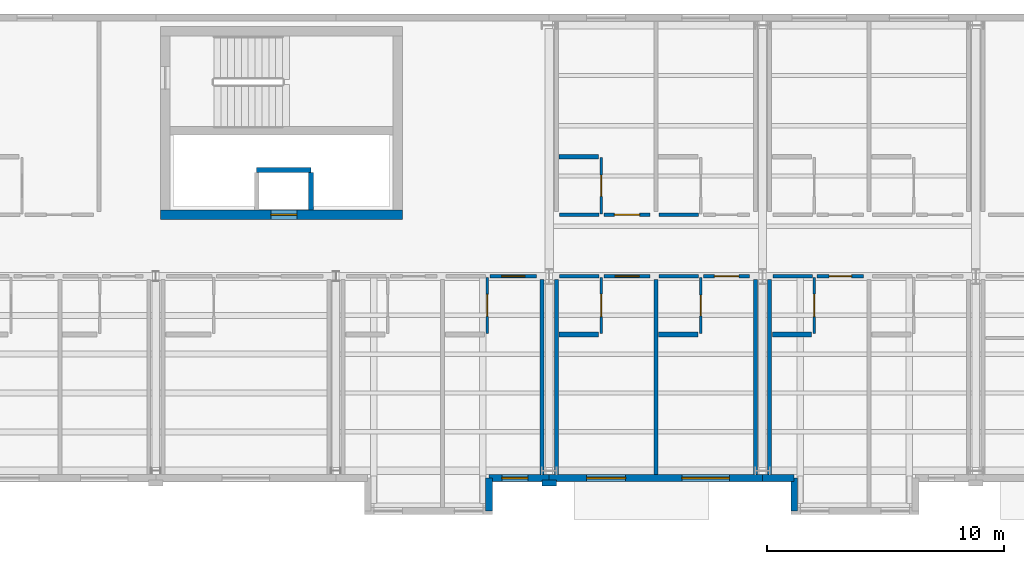
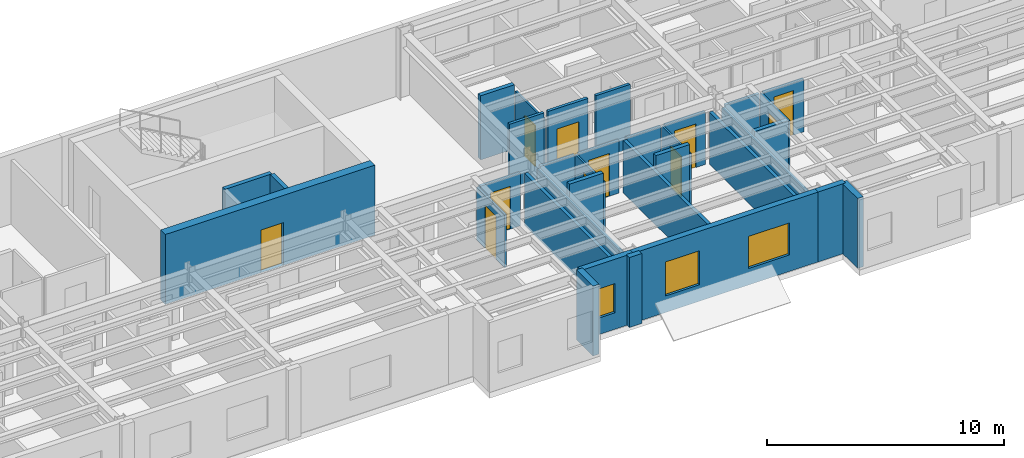
# One storey, part 16 of 34: 33 walls, 11 doors, 3 windows, 14 openings.
"""IFC4 building model written with IfcOpenShell, lengths in metres."""

from ifc_helpers import new_model, si_unit, direction, frame, frame_2d, origin, place, context, subcontext, project, spatial, rectangle, extrude, material, layer, layer_set, type_object, element, fill, save


model = new_model("IFC4")

# Units and contexts
model_context = context("Model", 3, precision=1e-05, world=origin(), true_north=direction((0.0, 1.0)))
body_context = subcontext(model_context, "Body", "Model", "MODEL_VIEW")
ifc_project = project(units=[si_unit("LENGTHUNIT", "METRE"), si_unit("AREAUNIT", "SQUARE_METRE"), si_unit("VOLUMEUNIT", "CUBIC_METRE"), si_unit("PLANEANGLEUNIT", "RADIAN"), si_unit("MASSUNIT", "GRAM", prefix="KILO")], contexts=[model_context])

# Site, building, storey
site_placement = place(None, origin())
site = spatial("IfcSite", under=ifc_project, at=site_placement, CompositionType="ELEMENT")
building_placement = place(site_placement, origin())
building = spatial("IfcBuilding", under=site, at=building_placement, Name="Sollismere Congress Hotel", CompositionType="ELEMENT")
storey_placement = place(building_placement, frame((0.0, 0.0, 23.39990234375)))
storey = spatial("IfcBuildingStorey", under=building, at=storey_placement, Name="L05", CompositionType="ELEMENT", Elevation=23.39990234375)

# Wall, opening, window
ifc_material_1 = material(Name="Colorado Buff Sandstone Rainscreen on Insulated Backup", Category="masonry")
ifc_layer_1 = layer(ifc_material_1, 0.284912109375, Name="Colorado Buff Sandstone Rainscreen on Insulated Backup")
ifc_layer_set_1 = layer_set([ifc_layer_1], Name="Colorado Buff Sandstone Rainscreen on Insulated Backup")
wall_type_1 = type_object("IfcWallType", Name="WL-EXT285", PredefinedType="STANDARD", material=ifc_layer_set_1)
wall_1_placement = place(storey_placement, frame((64.4599609375, -0.31005859375, 0.0), z_axis=(0.0, 0.0, 1.0), x_axis=(1.0, 0.0, 0.0)))
wall_1 = element("IfcWall", 1, at=wall_1_placement, inside=storey, type_object=wall_type_1, Name="Exterior wall EW-L05-572", PredefinedType="STANDARD", context=body_context, shape_type="SweptSolid", body=[
    extrude(rectangle(XDim=2.5400390625, YDim=0.284912109375, at=frame_2d((1.27001953125, 0.0))), origin(), (0.0, 0.0, 1.0), 3.60009765625),
])
opening_1_placement = place(wall_1_placement, frame((0.544921875, 0.0, 0.85009765625)))
opening_1 = element("IfcOpeningElement", 2, at=opening_1_placement, cuts=wall_1, Name="Opening W-L05-430", PredefinedType="OPENING", context=body_context, shape_type="SweptSolid", body=[
    extrude(rectangle(XDim=1.10009765625, YDim=1.5, at=frame_2d((0.550048828125, 0.75))), frame((0.0, 0.15234375, 0.0), z_axis=(0.0, -1.0, 0.0), x_axis=(1.0, 0.0, 0.0)), (0.0, 0.0, 1.0), 0.304931640625),
])
ifc_material_2 = material(Name="Thermally Broken Bronze Aluminum & Low-E Glass", Category="aluminium")
window_type_1 = type_object("IfcWindowType", Name="WN-P110x150", PartitioningType="SINGLE_PANEL", PredefinedType="WINDOW", material=ifc_material_2)
window_1_placement = place(opening_1_placement, origin())
window_1 = element("IfcWindow", 3, at=window_1_placement, inside=storey, type_object=window_type_1, Name="WIN-W-L05-430", OverallHeight=1.5, OverallWidth=1.10009765625, PartitioningType="SINGLE_PANEL", PredefinedType="WINDOW", context=body_context, shape_type="SweptSolid", body=[
    extrude(rectangle(XDim=1.10009765625, YDim=1.5, at=frame_2d((0.550048828125, 0.75))), frame((0.0, 0.030029296875, 0.0), z_axis=(0.0, -1.0, 0.0), x_axis=(1.0, 0.0, 0.0)), (0.0, 0.0, 1.0), 0.06005859375),
])
fill(opening_1, window_1)

# Wall
wall_2_placement = place(storey_placement, frame((64.4599609375, -1.699951171875, 0.0), z_axis=(0.0, 0.0, 1.0), x_axis=(0.0, 1.0, 0.0)))
element("IfcWall", 4, at=wall_2_placement, inside=storey, type_object=wall_type_1, Name="Exterior wall EW-L05-575", PredefinedType="STANDARD", context=body_context, shape_type="SweptSolid", body=[
    extrude(rectangle(XDim=1.389892578125, YDim=0.284912109375, at=frame_2d((0.69482421875, 0.0))), origin(), (0.0, 0.0, 1.0), 3.60009765625),
])

# Wall, openings, windows
wall_3_placement = place(storey_placement, frame((67.0, -0.31005859375, 0.0), z_axis=(0.0, 0.0, 1.0), x_axis=(1.0, 0.0, 0.0)))
wall_3 = element("IfcWall", 5, at=wall_3_placement, inside=storey, type_object=wall_type_1, Name="Exterior wall EW-L05-576", PredefinedType="STANDARD", context=body_context, shape_type="SweptSolid", body=[
    extrude(rectangle(XDim=9.0, YDim=0.284912109375, at=frame_2d((4.5, 0.0))), origin(), (0.0, 0.0, 1.0), 3.60009765625),
])
opening_2_placement = place(wall_3_placement, frame((1.574951171875, 0.0, 0.85009765625)))
opening_2 = element("IfcOpeningElement", 6, at=opening_2_placement, cuts=wall_3, Name="Opening W-L05-433", PredefinedType="OPENING", context=body_context, shape_type="SweptSolid", body=[
    extrude(rectangle(XDim=1.64990234375, YDim=1.75, at=frame_2d((0.824951171875, 0.875))), frame((0.0, 0.15234375, 0.0), z_axis=(0.0, -1.0, 0.0), x_axis=(1.0, 0.0, 0.0)), (0.0, 0.0, 1.0), 0.304931640625),
])
opening_3_placement = place(wall_3_placement, frame((5.60009765625, 0.0, 0.85009765625)))
opening_3 = element("IfcOpeningElement", 7, at=opening_3_placement, cuts=wall_3, Name="Opening W-L05-434", PredefinedType="OPENING", context=body_context, shape_type="SweptSolid", body=[
    extrude(rectangle(XDim=2.0, YDim=1.64990234375, at=frame_2d((1.0, 0.824951171875))), frame((0.0, 0.15234375, 0.0), z_axis=(0.0, -1.0, 0.0), x_axis=(1.0, 0.0, 0.0)), (0.0, 0.0, 1.0), 0.304931640625),
])
window_type_2 = type_object("IfcWindowType", Name="WN-P165x175", PartitioningType="SINGLE_PANEL", PredefinedType="WINDOW", material=ifc_material_2)
window_2_placement = place(opening_2_placement, origin())
window_2 = element("IfcWindow", 8, at=window_2_placement, inside=storey, type_object=window_type_2, Name="WIN-W-L05-433", OverallHeight=1.75, OverallWidth=1.64990234375, PartitioningType="SINGLE_PANEL", PredefinedType="WINDOW", context=body_context, shape_type="SweptSolid", body=[
    extrude(rectangle(XDim=1.64990234375, YDim=1.75, at=frame_2d((0.824951171875, 0.875))), frame((0.0, 0.030029296875, 0.0), z_axis=(0.0, -1.0, 0.0), x_axis=(1.0, 0.0, 0.0)), (0.0, 0.0, 1.0), 0.06005859375),
])
fill(opening_2, window_2)
window_type_3 = type_object("IfcWindowType", Name="WN-P200x165", PartitioningType="SINGLE_PANEL", PredefinedType="WINDOW", material=ifc_material_2)
window_3_placement = place(opening_3_placement, origin())
window_3 = element("IfcWindow", 9, at=window_3_placement, inside=storey, type_object=window_type_3, Name="WIN-W-L05-434", OverallHeight=1.64990234375, OverallWidth=2.0, PartitioningType="SINGLE_PANEL", PredefinedType="WINDOW", context=body_context, shape_type="SweptSolid", body=[
    extrude(rectangle(XDim=2.0, YDim=1.64990234375, at=frame_2d((1.0, 0.824951171875))), frame((0.0, 0.030029296875, 0.0), z_axis=(0.0, -1.0, 0.0), x_axis=(1.0, 0.0, 0.0)), (0.0, 0.0, 1.0), 0.06005859375),
])
fill(opening_3, window_3)

# Walls
wall_4_placement = place(storey_placement, frame((76.0, -0.31005859375, 0.0), z_axis=(0.0, 0.0, 1.0), x_axis=(1.0, 0.0, 0.0)))
element("IfcWall", 10, at=wall_4_placement, inside=storey, type_object=wall_type_1, Name="Exterior wall EW-L05-578", PredefinedType="STANDARD", context=body_context, shape_type="SweptSolid", body=[
    extrude(rectangle(XDim=1.340087890625, YDim=0.284912109375, at=frame_2d((0.669921875, 0.0))), origin(), (0.0, 0.0, 1.0), 3.60009765625),
])
wall_5_placement = place(storey_placement, frame((77.340087890625, -0.31005859375, 0.0), z_axis=(0.0, 0.0, 1.0), x_axis=(0.0, -1.0, 0.0)))
element("IfcWall", 11, at=wall_5_placement, inside=storey, type_object=wall_type_1, Name="Exterior wall EW-L05-581", PredefinedType="STANDARD", context=body_context, shape_type="SweptSolid", body=[
    extrude(rectangle(XDim=1.389892578125, YDim=0.284912109375, at=frame_2d((0.69482421875, 0.0))), origin(), (0.0, 0.0, 1.0), 3.60009765625),
])
ifc_material_3 = material(Name="Carved Travertine Pilaster & Frieze Assembly", Category="masonry")
ifc_layer_2 = layer(ifc_material_3, 0.260009765625, Name="Carved Travertine Pilaster & Frieze Assembly")
ifc_layer_set_2 = layer_set([ifc_layer_2], Name="Carved Travertine Pilaster & Frieze Assembly")
wall_type_2 = type_object("IfcWallType", Name="WL-PIL280", PredefinedType="ELEMENTEDWALL", material=ifc_layer_set_2)
wall_6_placement = place(storey_placement, frame((66.699951171875, -0.52001953125, 0.0), z_axis=(0.0, 0.0, 1.0), x_axis=(1.0, 0.0, 0.0)))
element("IfcWall", 12, at=wall_6_placement, inside=storey, type_object=wall_type_2, Name="Exterior wall EW-L05-577", PredefinedType="ELEMENTEDWALL", context=body_context, shape_type="SweptSolid", body=[
    extrude(rectangle(XDim=0.60009765625, YDim=0.260009765625, at=frame_2d((0.300048828125, 0.0))), origin(), (0.0, 0.0, 1.0), 3.60009765625),
])
ifc_material_4 = material(Name="Moisture-Resistant Shaft Gypsum Assembly")
ifc_layer_3 = layer(ifc_material_4, 0.199951171875, Name="Moisture-Resistant Shaft Gypsum Assembly")
ifc_layer_set_3 = layer_set([ifc_layer_3], Name="Moisture-Resistant Shaft Gypsum Assembly")
wall_type_3 = type_object("IfcWallType", Name="WL-PLM200", PredefinedType="PLUMBINGWALL", material=ifc_layer_set_3)
wall_7_placement = place(storey_placement, frame((54.655029296875, 12.68994140625, 0.0), z_axis=(0.0, 0.0, 1.0), x_axis=(1.0, 0.0, 0.0)))
element("IfcWall", 13, at=wall_7_placement, inside=storey, type_object=wall_type_3, Name="Interior wall IW-L05-0724", PredefinedType="PLUMBINGWALL", context=body_context, shape_type="SweptSolid", body=[
    extrude(rectangle(XDim=2.2900390625, YDim=0.199951171875, at=frame_2d((1.14501953125, 0.0))), origin(), (0.0, 0.0, 1.0), 3.300048828125),
])
wall_8_placement = place(storey_placement, frame((56.945068359375, 11.011962890625, 0.0), z_axis=(0.0, 0.0, 1.0), x_axis=(0.0, 1.0, 0.0)))
element("IfcWall", 14, at=wall_8_placement, inside=storey, type_object=wall_type_3, Name="Interior wall IW-L05-0726", PredefinedType="PLUMBINGWALL", context=body_context, shape_type="SweptSolid", body=[
    extrude(rectangle(XDim=1.56591796875, YDim=0.199951171875, at=frame_2d((0.782958984375, 0.0))), origin(), (0.0, 0.0, 1.0), 3.300048828125),
])
wall_9_placement = place(storey_placement, frame((67.419921875, 5.75, 0.0), z_axis=(0.0, 0.0, 1.0), x_axis=(1.0, 0.0, 0.0)))
element("IfcWall", 15, at=wall_9_placement, inside=storey, type_object=wall_type_3, Name="Interior wall IW-L05-1782", PredefinedType="PLUMBINGWALL", context=body_context, shape_type="SweptSolid", body=[
    extrude(rectangle(XDim=1.650146484375, YDim=0.199951171875, at=frame_2d((0.8251953125, 0.0))), origin(), (0.0, 0.0, 1.0), 3.300048828125),
])
wall_10_placement = place(storey_placement, frame((71.6201171875, 5.75, 0.0), z_axis=(0.0, 0.0, 1.0), x_axis=(1.0, 0.0, 0.0)))
element("IfcWall", 16, at=wall_10_placement, inside=storey, type_object=wall_type_3, Name="Interior wall IW-L05-1787", PredefinedType="PLUMBINGWALL", context=body_context, shape_type="SweptSolid", body=[
    extrude(rectangle(XDim=1.64990234375, YDim=0.199951171875, at=frame_2d((0.824951171875, 0.0))), origin(), (0.0, 0.0, 1.0), 3.300048828125),
])
wall_11_placement = place(storey_placement, frame((67.419921875, 13.25, 0.0), z_axis=(0.0, 0.0, 1.0), x_axis=(1.0, 0.0, 0.0)))
element("IfcWall", 17, at=wall_11_placement, inside=storey, type_object=wall_type_3, Name="Interior wall IW-L05-1793", PredefinedType="PLUMBINGWALL", context=body_context, shape_type="SweptSolid", body=[
    extrude(rectangle(XDim=1.650146484375, YDim=0.199951171875, at=frame_2d((0.8251953125, 0.0))), origin(), (0.0, 0.0, 1.0), 3.300048828125),
])
wall_12_placement = place(storey_placement, frame((76.419921875, 5.75, 0.0), z_axis=(0.0, 0.0, 1.0), x_axis=(1.0, 0.0, 0.0)))
element("IfcWall", 18, at=wall_12_placement, inside=storey, type_object=wall_type_3, Name="Interior wall IW-L05-1804", PredefinedType="PLUMBINGWALL", context=body_context, shape_type="SweptSolid", body=[
    extrude(rectangle(XDim=1.650146484375, YDim=0.199951171875, at=frame_2d((0.8251953125, 0.0))), origin(), (0.0, 0.0, 1.0), 2.85302734375),
])

# Wall, opening, door
ifc_material_5 = material(Name="Moisture-Resistant Gypsum Partition")
ifc_layer_4 = layer(ifc_material_5, 0.10009765625, Name="Moisture-Resistant Gypsum Partition")
ifc_layer_set_4 = layer_set([ifc_layer_4], Name="Moisture-Resistant Gypsum Partition")
wall_type_4 = type_object("IfcWallType", Name="WL-PRT100", PredefinedType="PARTITIONING", material=ifc_layer_set_4)
wall_13_placement = place(storey_placement, frame((64.389892578125, 5.7900390625, 0.0), z_axis=(0.0, 0.0, 1.0), x_axis=(0.0, 1.0, 0.0)))
wall_13 = element("IfcWall", 19, at=wall_13_placement, inside=storey, type_object=wall_type_4, Name="Interior wall IW-L05-1775", PredefinedType="PARTITIONING", context=body_context, shape_type="SweptSolid", body=[
    extrude(rectangle(XDim=2.369873046875, YDim=0.10009765625, at=frame_2d((1.18505859375, 0.0))), origin(), (0.0, 0.0, 1.0), 2.713134765625),
])
opening_4_placement = place(wall_13_placement, frame((0.719970703125, 0.0, 0.0)))
opening_4 = element("IfcOpeningElement", 20, at=opening_4_placement, cuts=wall_13, Name="Opening D-L05-0626", PredefinedType="OPENING", context=body_context, shape_type="SweptSolid", body=[
    extrude(rectangle(XDim=0.929931640625, YDim=2.219970703125, at=frame_2d((0.46484375, 1.10986328125))), frame((0.0, 0.06005859375, 0.0), z_axis=(0.0, -1.0, 0.0), x_axis=(1.0, 0.0, 0.0)), (0.0, 0.0, 1.0), 0.1201171875),
])
ifc_material_6 = material(Name="Moisture-Sealed Timber Bathroom Door", Category="wood")
door_type_1 = type_object("IfcDoorType", Name="DR-BT07", OperationType="NOTDEFINED", PredefinedType="DOOR", material=ifc_material_6)
door_1_placement = place(opening_4_placement, origin())
door_1 = element("IfcDoor", 21, at=door_1_placement, inside=storey, type_object=door_type_1, Name="En-suite bathroom door D-L05-0626", OperationType="SINGLE_SWING_LEFT", OverallHeight=2.219970703125, OverallWidth=0.929931640625, PredefinedType="DOOR", context=body_context, shape_type="SweptSolid", body=[
    extrude(rectangle(XDim=0.929931640625, YDim=2.219970703125, at=frame_2d((0.46484375, 1.10986328125))), frame((0.0, 0.02490234375, 0.0), z_axis=(0.0, -1.0, 0.0), x_axis=(1.0, 0.0, 0.0)), (0.0, 0.0, 1.0), 0.050048828125),
])
fill(opening_4, door_1)

wall_14_placement = place(storey_placement, frame((69.18994140625, 5.7900390625, 0.0), z_axis=(0.0, 0.0, 1.0), x_axis=(0.0, 1.0, 0.0)))
wall_14 = element("IfcWall", 22, at=wall_14_placement, inside=storey, type_object=wall_type_4, Name="Interior wall IW-L05-1781", PredefinedType="PARTITIONING", context=body_context, shape_type="SweptSolid", body=[
    extrude(rectangle(XDim=2.369873046875, YDim=0.10009765625, at=frame_2d((1.18505859375, 0.0))), origin(), (0.0, 0.0, 1.0), 2.713134765625),
])
opening_5_placement = place(wall_14_placement, frame((0.7080078125, 0.0, 0.0)))
opening_5 = element("IfcOpeningElement", 23, at=opening_5_placement, cuts=wall_14, Name="Opening D-L05-0628", PredefinedType="OPENING", context=body_context, shape_type="SweptSolid", body=[
    extrude(rectangle(XDim=0.955078125, YDim=2.219970703125, at=frame_2d((0.4775390625, 1.10986328125))), frame((0.0, 0.06005859375, 0.0), z_axis=(0.0, -1.0, 0.0), x_axis=(1.0, 0.0, 0.0)), (0.0, 0.0, 1.0), 0.1201171875),
])
door_type_2 = type_object("IfcDoorType", Name="DR-BT08", OperationType="NOTDEFINED", PredefinedType="DOOR", material=ifc_material_6)
door_2_placement = place(opening_5_placement, origin())
door_2 = element("IfcDoor", 24, at=door_2_placement, inside=storey, type_object=door_type_2, Name="En-suite bathroom door D-L05-0628", OperationType="SINGLE_SWING_LEFT", OverallHeight=2.219970703125, OverallWidth=0.955078125, PredefinedType="DOOR", context=body_context, shape_type="SweptSolid", body=[
    extrude(rectangle(XDim=0.955078125, YDim=2.219970703125, at=frame_2d((0.4775390625, 1.10986328125))), frame((0.0, 0.02490234375, 0.0), z_axis=(0.0, -1.0, 0.0), x_axis=(1.0, 0.0, 0.0)), (0.0, 0.0, 1.0), 0.050048828125),
])
fill(opening_5, door_2)

wall_15_placement = place(storey_placement, frame((73.389892578125, 5.7900390625, 0.0), z_axis=(0.0, 0.0, 1.0), x_axis=(0.0, 1.0, 0.0)))
wall_15 = element("IfcWall", 25, at=wall_15_placement, inside=storey, type_object=wall_type_4, Name="Interior wall IW-L05-1786", PredefinedType="PARTITIONING", context=body_context, shape_type="SweptSolid", body=[
    extrude(rectangle(XDim=2.369873046875, YDim=0.10009765625, at=frame_2d((1.18505859375, 0.0))), origin(), (0.0, 0.0, 1.0), 2.713134765625),
])
opening_6_placement = place(wall_15_placement, frame((0.7451171875, 0.0, 0.0)))
opening_6 = element("IfcOpeningElement", 26, at=opening_6_placement, cuts=wall_15, Name="Opening D-L05-0630", PredefinedType="OPENING", context=body_context, shape_type="SweptSolid", body=[
    extrude(rectangle(XDim=0.8798828125, YDim=2.10009765625, at=frame_2d((0.43994140625, 1.050048828125))), frame((0.0, 0.06005859375, 0.0), z_axis=(0.0, -1.0, 0.0), x_axis=(1.0, 0.0, 0.0)), (0.0, 0.0, 1.0), 0.1201171875),
])
door_type_3 = type_object("IfcDoorType", Name="DR-BT01", OperationType="NOTDEFINED", PredefinedType="DOOR", material=ifc_material_6)
door_3_placement = place(opening_6_placement, origin())
door_3 = element("IfcDoor", 27, at=door_3_placement, inside=storey, type_object=door_type_3, Name="En-suite bathroom door D-L05-0630", OperationType="SINGLE_SWING_LEFT", OverallHeight=2.10009765625, OverallWidth=0.8798828125, PredefinedType="DOOR", context=body_context, shape_type="SweptSolid", body=[
    extrude(rectangle(XDim=0.8798828125, YDim=2.10009765625, at=frame_2d((0.43994140625, 1.050048828125))), frame((0.0, 0.02490234375, 0.0), z_axis=(0.0, -1.0, 0.0), x_axis=(1.0, 0.0, 0.0)), (0.0, 0.0, 1.0), 0.050048828125),
])
fill(opening_6, door_3)

wall_16_placement = place(storey_placement, frame((69.18994140625, 10.840087890625, 0.0), z_axis=(0.0, 0.0, 1.0), x_axis=(0.0, 1.0, 0.0)))
wall_16 = element("IfcWall", 28, at=wall_16_placement, inside=storey, type_object=wall_type_4, Name="Interior wall IW-L05-1792", PredefinedType="PARTITIONING", context=body_context, shape_type="SweptSolid", body=[
    extrude(rectangle(XDim=2.369873046875, YDim=0.10009765625, at=frame_2d((1.18505859375, 0.0))), origin(), (0.0, 0.0, 1.0), 2.908203125),
])
opening_7_placement = place(wall_16_placement, frame((0.73291015625, 0.0, 0.0)))
opening_7 = element("IfcOpeningElement", 29, at=opening_7_placement, cuts=wall_16, Name="Opening D-L05-0632", PredefinedType="OPENING", context=body_context, shape_type="SweptSolid", body=[
    extrude(rectangle(XDim=0.905029296875, YDim=2.10009765625, at=frame_2d((0.45263671875, 1.050048828125))), frame((0.0, 0.06005859375, 0.0), z_axis=(0.0, -1.0, 0.0), x_axis=(1.0, 0.0, 0.0)), (0.0, 0.0, 1.0), 0.1201171875),
])
door_type_4 = type_object("IfcDoorType", Name="DR-BT02", OperationType="NOTDEFINED", PredefinedType="DOOR", material=ifc_material_6)
door_4_placement = place(opening_7_placement, origin())
door_4 = element("IfcDoor", 30, at=door_4_placement, inside=storey, type_object=door_type_4, Name="En-suite bathroom door D-L05-0632", OperationType="SINGLE_SWING_LEFT", OverallHeight=2.10009765625, OverallWidth=0.905029296875, PredefinedType="DOOR", context=body_context, shape_type="SweptSolid", body=[
    extrude(rectangle(XDim=0.905029296875, YDim=2.10009765625, at=frame_2d((0.45263671875, 1.050048828125))), frame((0.0, 0.02490234375, 0.0), z_axis=(0.0, -1.0, 0.0), x_axis=(1.0, 0.0, 0.0)), (0.0, 0.0, 1.0), 0.050048828125),
])
fill(opening_7, door_4)

wall_17_placement = place(storey_placement, frame((78.18994140625, 5.7900390625, 0.0), z_axis=(0.0, 0.0, 1.0), x_axis=(0.0, 1.0, 0.0)))
wall_17 = element("IfcWall", 31, at=wall_17_placement, inside=storey, type_object=wall_type_4, Name="Interior wall IW-L05-1803", PredefinedType="PARTITIONING", context=body_context, shape_type="SweptSolid", body=[
    extrude(rectangle(XDim=2.369873046875, YDim=0.10009765625, at=frame_2d((1.18505859375, 0.0))), origin(), (0.0, 0.0, 1.0), 2.713134765625),
])
opening_8_placement = place(wall_17_placement, frame((0.7080078125, 0.0, 0.0)))
opening_8 = element("IfcOpeningElement", 32, at=opening_8_placement, cuts=wall_17, Name="Opening D-L05-0636", PredefinedType="OPENING", context=body_context, shape_type="SweptSolid", body=[
    extrude(rectangle(XDim=0.955078125, YDim=2.139892578125, at=frame_2d((0.4775390625, 1.06982421875))), frame((0.0, 0.06005859375, 0.0), z_axis=(0.0, -1.0, 0.0), x_axis=(1.0, 0.0, 0.0)), (0.0, 0.0, 1.0), 0.1201171875),
])
door_type_5 = type_object("IfcDoorType", Name="DR-BT04", OperationType="NOTDEFINED", PredefinedType="DOOR", material=ifc_material_6)
door_5_placement = place(opening_8_placement, origin())
door_5 = element("IfcDoor", 33, at=door_5_placement, inside=storey, type_object=door_type_5, Name="En-suite bathroom door D-L05-0636", OperationType="SINGLE_SWING_LEFT", OverallHeight=2.139892578125, OverallWidth=0.955078125, PredefinedType="DOOR", context=body_context, shape_type="SweptSolid", body=[
    extrude(rectangle(XDim=0.955078125, YDim=2.139892578125, at=frame_2d((0.4775390625, 1.06982421875))), frame((0.0, 0.02490234375, 0.0), z_axis=(0.0, -1.0, 0.0), x_axis=(1.0, 0.0, 0.0)), (0.0, 0.0, 1.0), 0.050048828125),
])
fill(opening_8, door_5)

ifc_material_7 = material(Name="Fire-Rated Gypsum Partition")
ifc_layer_5 = layer(ifc_material_7, 0.139892578125, Name="Fire-Rated Gypsum Partition")
ifc_layer_set_5 = layer_set([ifc_layer_5], Name="Fire-Rated Gypsum Partition")
wall_type_5 = type_object("IfcWallType", Name="WL-PRT140R", PredefinedType="PARTITIONING", material=ifc_layer_set_5)
wall_18_placement = place(storey_placement, frame((64.510009765625, 8.199951171875, 0.0), z_axis=(0.0, 0.0, 1.0), x_axis=(1.0, 0.0, 0.0)))
wall_18 = element("IfcWall", 34, at=wall_18_placement, inside=storey, type_object=wall_type_5, Name="Interior wall IW-L05-1773", PredefinedType="PARTITIONING", context=body_context, shape_type="SweptSolid", body=[
    extrude(rectangle(XDim=1.949951171875, YDim=0.139892578125, at=frame_2d((0.97509765625, 0.0))), origin(), (0.0, 0.0, 1.0), 2.713134765625),
])
opening_9_placement = place(wall_18_placement, frame((0.485107421875, 0.0, 0.0)))
opening_9 = element("IfcOpeningElement", 35, at=opening_9_placement, cuts=wall_18, Name="Opening D-L05-0625", PredefinedType="OPENING", context=body_context, shape_type="SweptSolid", body=[
    extrude(rectangle(XDim=0.97998046875, YDim=2.199951171875, at=frame_2d((0.489990234375, 1.10009765625))), frame((0.0, 0.079833984375, 0.0), z_axis=(0.0, -1.0, 0.0), x_axis=(1.0, 0.0, 0.0)), (0.0, 0.0, 1.0), 0.159912109375),
])
ifc_material_8 = material(Name="Solid-Core Acoustic Walnut Guestroom Entry Door")
door_type_6 = type_object("IfcDoorType", Name="DR-KY03", OperationType="NOTDEFINED", PredefinedType="DOOR", material=ifc_material_8)
door_6_placement = place(opening_9_placement, origin())
door_6 = element("IfcDoor", 36, at=door_6_placement, inside=storey, type_object=door_type_6, Name="Hotel room entry door D-L05-0625", OperationType="SINGLE_SWING_RIGHT", OverallHeight=2.199951171875, OverallWidth=0.97998046875, PredefinedType="DOOR", context=body_context, shape_type="SweptSolid", body=[
    extrude(rectangle(XDim=0.97998046875, YDim=2.199951171875, at=frame_2d((0.489990234375, 1.10009765625))), frame((0.0, 0.02490234375, 0.0), z_axis=(0.0, -1.0, 0.0), x_axis=(1.0, 0.0, 0.0)), (0.0, 0.0, 1.0), 0.050048828125),
])
fill(opening_9, door_6)

# Wall
wall_19_placement = place(storey_placement, frame((67.43994140625, 8.199951171875, 0.0), z_axis=(0.0, 0.0, 1.0), x_axis=(1.0, 0.0, 0.0)))
element("IfcWall", 37, at=wall_19_placement, inside=storey, type_object=wall_type_5, Name="Interior wall IW-L05-1777", PredefinedType="PARTITIONING", context=body_context, shape_type="SweptSolid", body=[
    extrude(rectangle(XDim=1.670166015625, YDim=0.139892578125, at=frame_2d((0.8349609375, 0.0))), origin(), (0.0, 0.0, 1.0), 2.713134765625),
])

# Wall, opening, door
wall_20_placement = place(storey_placement, frame((69.31005859375, 8.199951171875, 0.0), z_axis=(0.0, 0.0, 1.0), x_axis=(1.0, 0.0, 0.0)))
wall_20 = element("IfcWall", 38, at=wall_20_placement, inside=storey, type_object=wall_type_5, Name="Interior wall IW-L05-1778", PredefinedType="PARTITIONING", context=body_context, shape_type="SweptSolid", body=[
    extrude(rectangle(XDim=1.949951171875, YDim=0.139892578125, at=frame_2d((0.97509765625, 0.0))), origin(), (0.0, 0.0, 1.0), 2.713134765625),
])
opening_10_placement = place(wall_20_placement, frame((0.469970703125, 0.0, 0.0)))
opening_10 = element("IfcOpeningElement", 39, at=opening_10_placement, cuts=wall_20, Name="Opening D-L05-0627", PredefinedType="OPENING", context=body_context, shape_type="SweptSolid", body=[
    extrude(rectangle(XDim=1.010009765625, YDim=2.199951171875, at=frame_2d((0.5048828125, 1.10009765625))), frame((0.0, 0.079833984375, 0.0), z_axis=(0.0, -1.0, 0.0), x_axis=(1.0, 0.0, 0.0)), (0.0, 0.0, 1.0), 0.159912109375),
])
door_type_7 = type_object("IfcDoorType", Name="DR-KY04", OperationType="NOTDEFINED", PredefinedType="DOOR", material=ifc_material_8)
door_7_placement = place(opening_10_placement, origin())
door_7 = element("IfcDoor", 40, at=door_7_placement, inside=storey, type_object=door_type_7, Name="Hotel room entry door D-L05-0627", OperationType="SINGLE_SWING_RIGHT", OverallHeight=2.199951171875, OverallWidth=1.010009765625, PredefinedType="DOOR", context=body_context, shape_type="SweptSolid", body=[
    extrude(rectangle(XDim=1.010009765625, YDim=2.199951171875, at=frame_2d((0.5048828125, 1.10009765625))), frame((0.0, 0.02490234375, 0.0), z_axis=(0.0, -1.0, 0.0), x_axis=(1.0, 0.0, 0.0)), (0.0, 0.0, 1.0), 0.050048828125),
])
fill(opening_10, door_7)

# Wall
wall_21_placement = place(storey_placement, frame((71.639892578125, 8.199951171875, 0.0), z_axis=(0.0, 0.0, 1.0), x_axis=(1.0, 0.0, 0.0)))
element("IfcWall", 41, at=wall_21_placement, inside=storey, type_object=wall_type_5, Name="Interior wall IW-L05-1783", PredefinedType="PARTITIONING", context=body_context, shape_type="SweptSolid", body=[
    extrude(rectangle(XDim=1.670166015625, YDim=0.139892578125, at=frame_2d((0.8349609375, 0.0))), origin(), (0.0, 0.0, 1.0), 2.713134765625),
])

# Wall, opening, door
wall_22_placement = place(storey_placement, frame((73.510009765625, 8.199951171875, 0.0), z_axis=(0.0, 0.0, 1.0), x_axis=(1.0, 0.0, 0.0)))
wall_22 = element("IfcWall", 42, at=wall_22_placement, inside=storey, type_object=wall_type_5, Name="Interior wall IW-L05-1784", PredefinedType="PARTITIONING", context=body_context, shape_type="SweptSolid", body=[
    extrude(rectangle(XDim=1.949951171875, YDim=0.139892578125, at=frame_2d((0.97509765625, 0.0))), origin(), (0.0, 0.0, 1.0), 2.713134765625),
])
opening_11_placement = place(wall_22_placement, frame((0.455078125, 0.0, 0.0)))
opening_11 = element("IfcOpeningElement", 43, at=opening_11_placement, cuts=wall_22, Name="Opening D-L05-0629", PredefinedType="OPENING", context=body_context, shape_type="SweptSolid", body=[
    extrude(rectangle(XDim=1.0400390625, YDim=2.25, at=frame_2d((0.52001953125, 1.125))), frame((0.0, 0.079833984375, 0.0), z_axis=(0.0, -1.0, 0.0), x_axis=(1.0, 0.0, 0.0)), (0.0, 0.0, 1.0), 0.159912109375),
])
door_type_8 = type_object("IfcDoorType", Name="DR-KY05", OperationType="NOTDEFINED", PredefinedType="DOOR", material=ifc_material_8)
door_8_placement = place(opening_11_placement, origin())
door_8 = element("IfcDoor", 44, at=door_8_placement, inside=storey, type_object=door_type_8, Name="Hotel room entry door D-L05-0629", OperationType="SINGLE_SWING_RIGHT", OverallHeight=2.25, OverallWidth=1.0400390625, PredefinedType="DOOR", context=body_context, shape_type="SweptSolid", body=[
    extrude(rectangle(XDim=1.0400390625, YDim=2.25, at=frame_2d((0.52001953125, 1.125))), frame((0.0, 0.02490234375, 0.0), z_axis=(0.0, -1.0, 0.0), x_axis=(1.0, 0.0, 0.0)), (0.0, 0.0, 1.0), 0.050048828125),
])
fill(opening_11, door_8)

# Wall
wall_23_placement = place(storey_placement, frame((67.43994140625, 10.800048828125, 0.0), z_axis=(0.0, 0.0, 1.0), x_axis=(1.0, 0.0, 0.0)))
element("IfcWall", 45, at=wall_23_placement, inside=storey, type_object=wall_type_5, Name="Interior wall IW-L05-1788", PredefinedType="PARTITIONING", context=body_context, shape_type="SweptSolid", body=[
    extrude(rectangle(XDim=1.670166015625, YDim=0.139892578125, at=frame_2d((0.8349609375, 0.0))), origin(), (0.0, 0.0, 1.0), 3.300048828125),
])

# Wall, opening, door
wall_24_placement = place(storey_placement, frame((69.31005859375, 10.800048828125, 0.0), z_axis=(0.0, 0.0, 1.0), x_axis=(1.0, 0.0, 0.0)))
wall_24 = element("IfcWall", 46, at=wall_24_placement, inside=storey, type_object=wall_type_5, Name="Interior wall IW-L05-1789", PredefinedType="PARTITIONING", context=body_context, shape_type="SweptSolid", body=[
    extrude(rectangle(XDim=1.949951171875, YDim=0.139892578125, at=frame_2d((0.97509765625, 0.0))), origin(), (0.0, 0.0, 1.0), 3.300048828125),
])
opening_12_placement = place(wall_24_placement, frame((0.43994140625, 0.0, 0.0)))
opening_12 = element("IfcOpeningElement", 47, at=opening_12_placement, cuts=wall_24, Name="Opening D-L05-0631", PredefinedType="OPENING", context=body_context, shape_type="SweptSolid", body=[
    extrude(rectangle(XDim=1.070068359375, YDim=2.25, at=frame_2d((0.53515625, 1.125))), frame((0.0, 0.079833984375, 0.0), z_axis=(0.0, -1.0, 0.0), x_axis=(1.0, 0.0, 0.0)), (0.0, 0.0, 1.0), 0.159912109375),
])
door_type_9 = type_object("IfcDoorType", Name="DR-KY06", OperationType="NOTDEFINED", PredefinedType="DOOR", material=ifc_material_8)
door_9_placement = place(opening_12_placement, origin())
door_9 = element("IfcDoor", 48, at=door_9_placement, inside=storey, type_object=door_type_9, Name="Hotel room entry door D-L05-0631", OperationType="SINGLE_SWING_RIGHT", OverallHeight=2.25, OverallWidth=1.070068359375, PredefinedType="DOOR", context=body_context, shape_type="SweptSolid", body=[
    extrude(rectangle(XDim=1.070068359375, YDim=2.25, at=frame_2d((0.53515625, 1.125))), frame((0.0, 0.02490234375, 0.0), z_axis=(0.0, -1.0, 0.0), x_axis=(1.0, 0.0, 0.0)), (0.0, 0.0, 1.0), 0.050048828125),
])
fill(opening_12, door_9)

# Walls
wall_25_placement = place(storey_placement, frame((71.639892578125, 10.800048828125, 0.0), z_axis=(0.0, 0.0, 1.0), x_axis=(1.0, 0.0, 0.0)))
element("IfcWall", 49, at=wall_25_placement, inside=storey, type_object=wall_type_5, Name="Interior wall IW-L05-1794", PredefinedType="PARTITIONING", context=body_context, shape_type="SweptSolid", body=[
    extrude(rectangle(XDim=1.670166015625, YDim=0.139892578125, at=frame_2d((0.8349609375, 0.0))), origin(), (0.0, 0.0, 1.0), 3.300048828125),
])
wall_26_placement = place(storey_placement, frame((76.43994140625, 8.199951171875, 0.0), z_axis=(0.0, 0.0, 1.0), x_axis=(1.0, 0.0, 0.0)))
element("IfcWall", 50, at=wall_26_placement, inside=storey, type_object=wall_type_5, Name="Interior wall IW-L05-1799", PredefinedType="PARTITIONING", context=body_context, shape_type="SweptSolid", body=[
    extrude(rectangle(XDim=1.670166015625, YDim=0.139892578125, at=frame_2d((0.8349609375, 0.0))), origin(), (0.0, 0.0, 1.0), 2.713134765625),
])

# Wall, opening, door
wall_27_placement = place(storey_placement, frame((78.31005859375, 8.199951171875, 0.0), z_axis=(0.0, 0.0, 1.0), x_axis=(1.0, 0.0, 0.0)))
wall_27 = element("IfcWall", 51, at=wall_27_placement, inside=storey, type_object=wall_type_5, Name="Interior wall IW-L05-1800", PredefinedType="PARTITIONING", context=body_context, shape_type="SweptSolid", body=[
    extrude(rectangle(XDim=1.949951171875, YDim=0.139892578125, at=frame_2d((0.97509765625, 0.0))), origin(), (0.0, 0.0, 1.0), 2.713134765625),
])
opening_13_placement = place(wall_27_placement, frame((0.5, 0.0, 0.0)))
opening_13 = element("IfcOpeningElement", 52, at=opening_13_placement, cuts=wall_27, Name="Opening D-L05-0635", PredefinedType="OPENING", context=body_context, shape_type="SweptSolid", body=[
    extrude(rectangle(XDim=0.949951171875, YDim=2.300048828125, at=frame_2d((0.47509765625, 1.14990234375))), frame((0.0, 0.079833984375, 0.0), z_axis=(0.0, -1.0, 0.0), x_axis=(1.0, 0.0, 0.0)), (0.0, 0.0, 1.0), 0.159912109375),
])
door_type_10 = type_object("IfcDoorType", Name="DR-KY08", OperationType="NOTDEFINED", PredefinedType="DOOR", material=ifc_material_8)
door_10_placement = place(opening_13_placement, origin())
door_10 = element("IfcDoor", 53, at=door_10_placement, inside=storey, type_object=door_type_10, Name="Hotel room entry door D-L05-0635", OperationType="SINGLE_SWING_RIGHT", OverallHeight=2.300048828125, OverallWidth=0.949951171875, PredefinedType="DOOR", context=body_context, shape_type="SweptSolid", body=[
    extrude(rectangle(XDim=0.949951171875, YDim=2.300048828125, at=frame_2d((0.47509765625, 1.14990234375))), frame((0.0, 0.02490234375, 0.0), z_axis=(0.0, -1.0, 0.0), x_axis=(1.0, 0.0, 0.0)), (0.0, 0.0, 1.0), 0.050048828125),
])
fill(opening_13, door_10)

# Walls
ifc_material_9 = material(Name="Fire-Rated Acoustic Gypsum Partition")
ifc_layer_6 = layer(ifc_material_9, 0.1650390625, Name="Fire-Rated Acoustic Gypsum Partition")
ifc_layer_set_6 = layer_set([ifc_layer_6], Name="Fire-Rated Acoustic Gypsum Partition")
wall_type_6 = type_object("IfcWallType", Name="WL-PRT165R", PredefinedType="PARTITIONING", material=ifc_layer_set_6)
for number, where, z_axis, x_axis, name in (
    (54, (66.699951171875, -0.152587890625, 0.0), (0.0, 0.0, 1.0), (0.0, 1.0, 0.0), "Interior wall IW-L05-1774"),
    (55, (67.300048828125, -0.152587890625, 0.0), (0.0, 0.0, 1.0), (0.0, 1.0, 0.0), "Interior wall IW-L05-1779"),
    (56, (71.5, -0.152587890625, 0.0), (0.0, 0.0, 1.0), (0.0, 1.0, 0.0), "Interior wall IW-L05-1780"),
    (57, (75.699951171875, -0.152587890625, 0.0), (0.0, 0.0, 1.0), (0.0, 1.0, 0.0), "Interior wall IW-L05-1785"),
    (58, (76.300048828125, -0.152587890625, 0.0), (0.0, 0.0, 1.0), (0.0, 1.0, 0.0), "Interior wall IW-L05-1801"),
):
    element("IfcWall", number, at=place(storey_placement, frame(where, z_axis=z_axis, x_axis=x_axis)), inside=storey, type_object=wall_type_6, Name=name, PredefinedType="PARTITIONING", context=body_context, shape_type="SweptSolid", body=[
        extrude(rectangle(XDim=8.212646484375, YDim=0.1650390625, at=frame_2d((4.1064453125, 0.0))), origin(), (0.0, 0.0, 1.0), 2.690185546875),
    ])

# Wall, opening, door
ifc_material_10 = material(Name="Concrete C50/60", Category="concrete")
ifc_layer_7 = layer(ifc_material_10, 0.39990234375, Name="Concrete C50/60")
ifc_layer_set_7 = layer_set([ifc_layer_7], Name="Concrete C50/60")
wall_type_7 = type_object("IfcWallType", Name="WL-SHR400", PredefinedType="SHEAR", material=ifc_layer_set_7)
wall_28_placement = place(storey_placement, frame((50.60009765625, 10.800048828125, 0.0), z_axis=(0.0, 0.0, 1.0), x_axis=(1.0, 0.0, 0.0)))
wall_28 = element("IfcWall", 59, at=wall_28_placement, inside=storey, type_object=wall_type_7, Name="Interior wall IW-L05-0719", PredefinedType="SHEAR", context=body_context, shape_type="SweptSolid", body=[
    extrude(rectangle(XDim=10.199951171875, YDim=0.39990234375, at=frame_2d((5.10009765625, 0.0))), origin(), (0.0, 0.0, 1.0), 3.60009765625),
])
opening_14_placement = place(wall_28_placement, frame((4.64990234375, 0.0, 0.0)))
opening_14 = element("IfcOpeningElement", 60, at=opening_14_placement, cuts=wall_28, Name="Opening LD-LP-09-L05", PredefinedType="OPENING", context=body_context, shape_type="SweptSolid", body=[
    extrude(rectangle(XDim=1.10009765625, YDim=2.199951171875, at=frame_2d((0.550048828125, 1.10009765625))), frame((0.0, 0.2099609375, 0.0), z_axis=(0.0, -1.0, 0.0), x_axis=(1.0, 0.0, 0.0)), (0.0, 0.0, 1.0), 0.419921875),
])
ifc_material_11 = material(Name="Brushed Bronze Sliding Elevator Landing Door")
door_type_11 = type_object("IfcDoorType", Name="DR-LD110", OperationType="NOTDEFINED", PredefinedType="DOOR", material=ifc_material_11)
door_11_placement = place(opening_14_placement, origin())
door_11 = element("IfcDoor", 61, at=door_11_placement, inside=storey, type_object=door_type_11, Name="Elevator landing door LD-LP-09-L05", OperationType="SLIDING_TO_LEFT", OverallHeight=2.199951171875, OverallWidth=1.10009765625, PredefinedType="DOOR", context=body_context, shape_type="SweptSolid", body=[
    extrude(rectangle(XDim=1.10009765625, YDim=2.199951171875, at=frame_2d((0.550048828125, 1.10009765625))), frame((0.0, 0.02490234375, 0.0), z_axis=(0.0, -1.0, 0.0), x_axis=(1.0, 0.0, 0.0)), (0.0, 0.0, 1.0), 0.050048828125),
])
fill(opening_14, door_11)

save(model, "model.ifc")
